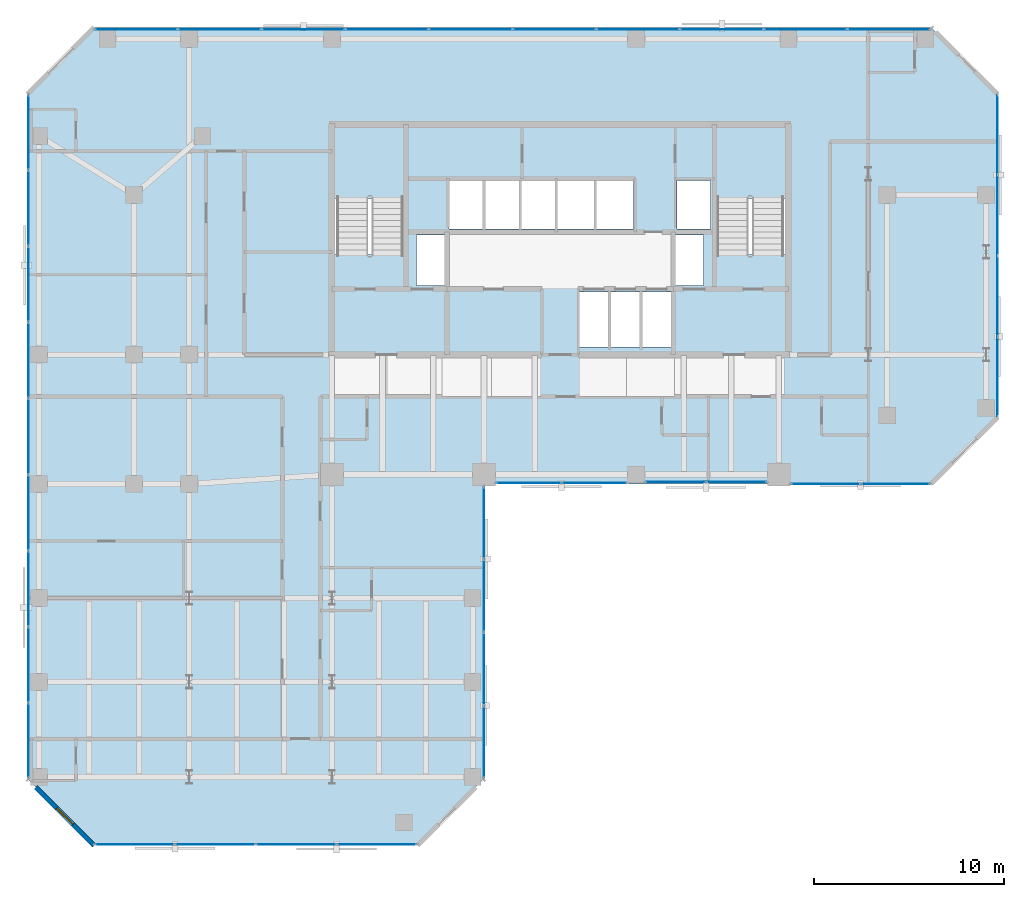
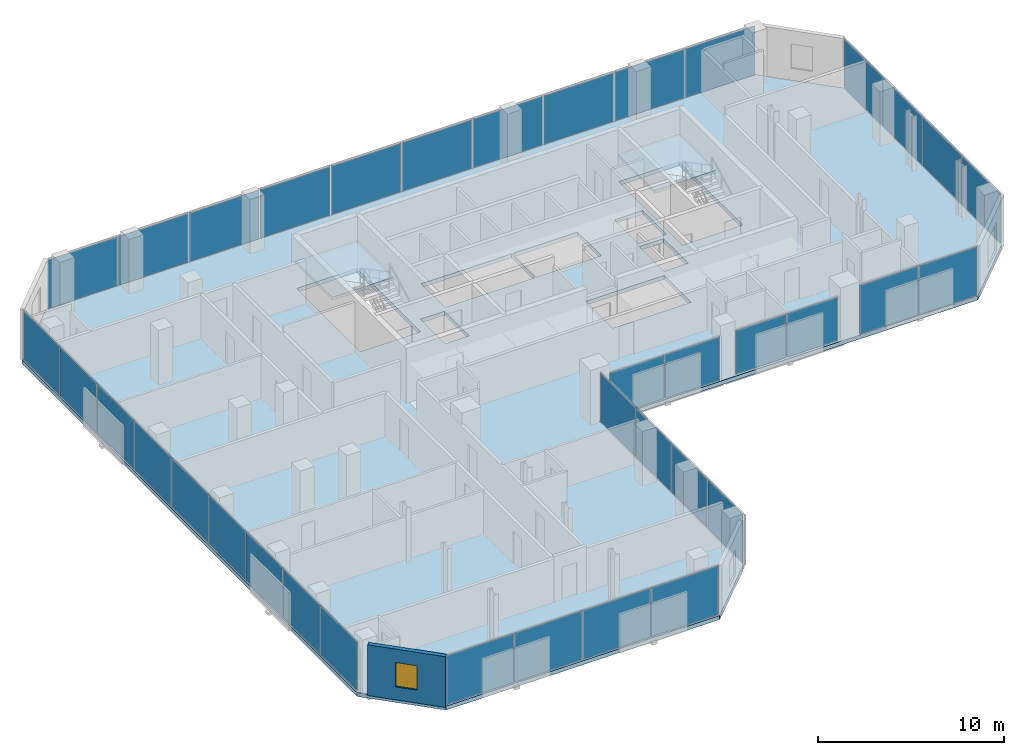
# One storey, part 27 of 33: 37 plates, 3 slabs, 1 wall, 1 window, 1 opening, 10 elements without a shape of their own.
"""IFC4 building model written with IfcOpenShell, lengths in metres."""

from ifc_helpers import new_model, si_unit, direction, frame, frame_2d, origin, origin_2d, place, context, subcontext, project, spatial, polyline, rectangle, outline, extrude, material, layer, layer_set, type_object, element, fill, aggregate, save


model = new_model("IFC4")

# Units and contexts
model_context = context("Model", 3, precision=1e-05, world=origin(), true_north=direction((0.0, 1.0)))
body_context = subcontext(model_context, "Body", "Model", "MODEL_VIEW")
ifc_project = project(units=[si_unit("LENGTHUNIT", "METRE"), si_unit("AREAUNIT", "SQUARE_METRE"), si_unit("VOLUMEUNIT", "CUBIC_METRE"), si_unit("PLANEANGLEUNIT", "RADIAN"), si_unit("MASSUNIT", "GRAM", prefix="KILO")], contexts=[model_context])

# Site, building, storey
site_placement = place(None, origin())
site = spatial("IfcSite", under=ifc_project, at=site_placement, CompositionType="ELEMENT")
building_placement = place(site_placement, origin())
building = spatial("IfcBuilding", under=site, at=building_placement, Name="Catumbela Crestline Tower", CompositionType="ELEMENT")
storey_placement = place(building_placement, frame((0.0, 0.0, 104.4)))
storey = spatial("IfcBuildingStorey", under=building, at=storey_placement, Name="L26", CompositionType="ELEMENT", Elevation=104.4)

# Curtain wall, plates
ifc_material_1 = material(Name="Aluminium alloy AW-6060-T66", Category="aluminium")
ifc_layer_1 = layer(ifc_material_1, 0.18, Name="Aluminium alloy AW-6060-T66")
ifc_layer_set_1 = layer_set([ifc_layer_1], Name="Aluminium alloy AW-6060-T66")
curtain_wall_type = type_object("IfcCurtainWallType", Name="CWU-Z2", PredefinedType="USERDEFINED", material=ifc_layer_set_1)
curtain_wall_1_placement = place(storey_placement, origin())
curtain_wall_1 = element("IfcCurtainWall", 1, at=curtain_wall_1_placement, inside=storey, type_object=curtain_wall_type, Name="L26 Unitised Curtain Wall CW-L26-E0S1", ObjectType="UNITISED", PredefinedType="USERDEFINED")
ifc_material_2 = material(Name="Low-E laminated solar-control double glazing", Category="glass")
ifc_layer_2 = layer(ifc_material_2, 0.036, Name="Low-E laminated solar-control double glazing")
ifc_layer_set_2 = layer_set([ifc_layer_2], Name="Low-E laminated solar-control double glazing")
plate_type = type_object("IfcPlateType", Name="PNL-GLZ-Z2", PredefinedType="CURTAIN_PANEL", material=ifc_layer_set_2)
plate_1_placement = place(storey_placement, frame((5.6412, 5.05, 0.06), z_axis=(0.0, 0.0, 1.0), x_axis=(1.0, 0.0, 0.0)))
plate_1 = element("IfcPlate", 2, at=plate_1_placement, type_object=plate_type, Name="CWU-Z2 panel 1.1", PredefinedType="CURTAIN_PANEL", context=body_context, shape_type="SweptSolid", body=[
    extrude(rectangle(XDim=4.1525, YDim=0.034, at=origin_2d()), origin(), (0.0, 0.0, 1.0), 3.21),
])
plate_2_placement = place(storey_placement, frame((9.875, 5.05, 0.06), z_axis=(0.0, 0.0, 1.0), x_axis=(1.0, 0.0, 0.0)))
plate_2 = element("IfcPlate", 3, at=plate_2_placement, type_object=plate_type, Name="CWU-Z2 panel 2.1", PredefinedType="CURTAIN_PANEL", context=body_context, shape_type="SweptSolid", body=[
    extrude(rectangle(XDim=4.185, YDim=0.034, at=origin_2d()), origin(), (0.0, 0.0, 1.0), 3.21),
])
plate_3_placement = place(storey_placement, frame((14.125, 5.05, 0.06), z_axis=(0.0, 0.0, 1.0), x_axis=(1.0, 0.0, 0.0)))
plate_3 = element("IfcPlate", 4, at=plate_3_placement, type_object=plate_type, Name="CWU-Z2 panel 3.1", PredefinedType="CURTAIN_PANEL", context=body_context, shape_type="SweptSolid", body=[
    extrude(rectangle(XDim=4.185, YDim=0.034, at=origin_2d()), origin(), (0.0, 0.0, 1.0), 3.21),
])
plate_4_placement = place(storey_placement, frame((18.3588, 5.05, 0.06), z_axis=(0.0, 0.0, 1.0), x_axis=(1.0, 0.0, 0.0)))
plate_4 = element("IfcPlate", 5, at=plate_4_placement, type_object=plate_type, Name="CWU-Z2 panel 4.1", PredefinedType="CURTAIN_PANEL", context=body_context, shape_type="SweptSolid", body=[
    extrude(rectangle(XDim=4.1525, YDim=0.034, at=origin_2d()), origin(), (0.0, 0.0, 1.0), 3.21),
])
aggregate(curtain_wall_1, [plate_1, plate_2, plate_3, plate_4])

curtain_wall_2_placement = place(storey_placement, origin())
curtain_wall_2 = element("IfcCurtainWall", 6, at=curtain_wall_2_placement, inside=storey, type_object=curtain_wall_type, Name="L26 Unitised Curtain Wall CW-L26-E2S1", ObjectType="UNITISED", PredefinedType="USERDEFINED")
plate_5_placement = place(storey_placement, frame((24.0, 10.4412, 0.06), z_axis=(0.0, 0.0, 1.0), x_axis=(0.0, 1.0, 0.0)))
plate_5 = element("IfcPlate", 7, at=plate_5_placement, type_object=plate_type, Name="CWU-Z2 panel 1.1", PredefinedType="CURTAIN_PANEL", context=body_context, shape_type="SweptSolid", body=[
    extrude(rectangle(XDim=3.7525, YDim=0.034, at=origin_2d()), origin(), (0.0, 0.0, 1.0), 3.21),
])
plate_6_placement = place(storey_placement, frame((24.0, 14.275, 0.06), z_axis=(0.0, 0.0, 1.0), x_axis=(0.0, 1.0, 0.0)))
plate_6 = element("IfcPlate", 8, at=plate_6_placement, type_object=plate_type, Name="CWU-Z2 panel 2.1", PredefinedType="CURTAIN_PANEL", context=body_context, shape_type="SweptSolid", body=[
    extrude(rectangle(XDim=3.785, YDim=0.034, at=origin_2d()), origin(), (0.0, 0.0, 1.0), 3.21),
])
plate_7_placement = place(storey_placement, frame((24.0, 18.125, 0.06), z_axis=(0.0, 0.0, 1.0), x_axis=(0.0, 1.0, 0.0)))
plate_7 = element("IfcPlate", 9, at=plate_7_placement, type_object=plate_type, Name="CWU-Z2 panel 3.1", PredefinedType="CURTAIN_PANEL", context=body_context, shape_type="SweptSolid", body=[
    extrude(rectangle(XDim=3.785, YDim=0.034, at=origin_2d()), origin(), (0.0, 0.0, 1.0), 3.21),
])
plate_8_placement = place(storey_placement, frame((24.0, 21.9587, 0.06), z_axis=(0.0, 0.0, 1.0), x_axis=(0.0, 1.0, 0.0)))
plate_8 = element("IfcPlate", 10, at=plate_8_placement, type_object=plate_type, Name="CWU-Z2 panel 4.1", PredefinedType="CURTAIN_PANEL", context=body_context, shape_type="SweptSolid", body=[
    extrude(rectangle(XDim=3.7525, YDim=0.034, at=origin_2d()), origin(), (0.0, 0.0, 1.0), 3.21),
])
aggregate(curtain_wall_2, [plate_5, plate_6, plate_7, plate_8])

curtain_wall_3_placement = place(storey_placement, origin())
curtain_wall_3 = element("IfcCurtainWall", 11, at=curtain_wall_3_placement, inside=storey, type_object=curtain_wall_type, Name="L26 Unitised Curtain Wall CW-L26-E3S1", ObjectType="UNITISED", PredefinedType="USERDEFINED")
plate_9_placement = place(storey_placement, frame((26.3538, 24.05, 0.06), z_axis=(0.0, 0.0, 1.0), x_axis=(1.0, 0.0, 0.0)))
plate_9 = element("IfcPlate", 12, at=plate_9_placement, type_object=plate_type, Name="CWU-Z2 panel 1.1", PredefinedType="CURTAIN_PANEL", context=body_context, shape_type="SweptSolid", body=[
    extrude(rectangle(XDim=3.3775, YDim=0.034, at=origin_2d()), origin(), (0.0, 0.0, 1.0), 2.84),
])
plate_10_placement = place(storey_placement, frame((29.7962, 24.05, 0.06), z_axis=(0.0, 0.0, 1.0), x_axis=(1.0, 0.0, 0.0)))
plate_10 = element("IfcPlate", 13, at=plate_10_placement, type_object=plate_type, Name="CWU-Z2 panel 2.1", PredefinedType="CURTAIN_PANEL", context=body_context, shape_type="SweptSolid", body=[
    extrude(rectangle(XDim=3.3775, YDim=0.034, at=origin_2d()), origin(), (0.0, 0.0, 1.0), 2.84),
])
aggregate(curtain_wall_3, [plate_9, plate_10])

curtain_wall_4_placement = place(storey_placement, origin())
curtain_wall_4 = element("IfcCurtainWall", 14, at=curtain_wall_4_placement, inside=storey, type_object=curtain_wall_type, Name="L26 Unitised Curtain Wall CW-L26-E3S2", ObjectType="UNITISED", PredefinedType="USERDEFINED")
plate_11_placement = place(storey_placement, frame((34.0788, 24.1, 0.06), z_axis=(0.0, 0.0, 1.0), x_axis=(1.0, 0.0, 0.0)))
plate_11 = element("IfcPlate", 15, at=plate_11_placement, type_object=plate_type, Name="CWU-Z2 panel 1.1", PredefinedType="CURTAIN_PANEL", context=body_context, shape_type="SweptSolid", body=[
    extrude(rectangle(XDim=3.1275, YDim=0.034, at=origin_2d()), origin(), (0.0, 0.0, 1.0), 2.84),
])
plate_12_placement = place(storey_placement, frame((37.2712, 24.1, 0.06), z_axis=(0.0, 0.0, 1.0), x_axis=(1.0, 0.0, 0.0)))
plate_12 = element("IfcPlate", 16, at=plate_12_placement, type_object=plate_type, Name="CWU-Z2 panel 2.1", PredefinedType="CURTAIN_PANEL", context=body_context, shape_type="SweptSolid", body=[
    extrude(rectangle(XDim=3.1275, YDim=0.034, at=origin_2d()), origin(), (0.0, 0.0, 1.0), 2.84),
])
aggregate(curtain_wall_4, [plate_11, plate_12])

curtain_wall_5_placement = place(storey_placement, origin())
curtain_wall_5 = element("IfcCurtainWall", 17, at=curtain_wall_5_placement, inside=storey, type_object=curtain_wall_type, Name="L26 Unitised Curtain Wall CW-L26-E3S3", ObjectType="UNITISED", PredefinedType="USERDEFINED")
plate_13_placement = place(storey_placement, frame((41.9662, 24.0, 0.06), z_axis=(0.0, 0.0, 1.0), x_axis=(1.0, 0.0, 0.0)))
plate_13 = element("IfcPlate", 18, at=plate_13_placement, type_object=plate_type, Name="CWU-Z2 panel 1.1", PredefinedType="CURTAIN_PANEL", context=body_context, shape_type="SweptSolid", body=[
    extrude(rectangle(XDim=3.6025, YDim=0.034, at=origin_2d()), origin(), (0.0, 0.0, 1.0), 3.21),
])
plate_14_placement = place(storey_placement, frame((45.6338, 24.0, 0.06), z_axis=(0.0, 0.0, 1.0), x_axis=(1.0, 0.0, 0.0)))
plate_14 = element("IfcPlate", 19, at=plate_14_placement, type_object=plate_type, Name="CWU-Z2 panel 2.1", PredefinedType="CURTAIN_PANEL", context=body_context, shape_type="SweptSolid", body=[
    extrude(rectangle(XDim=3.6025, YDim=0.034, at=origin_2d()), origin(), (0.0, 0.0, 1.0), 3.21),
])
aggregate(curtain_wall_5, [plate_13, plate_14])

curtain_wall_6_placement = place(storey_placement, origin())
curtain_wall_6 = element("IfcCurtainWall", 20, at=curtain_wall_6_placement, inside=storey, type_object=curtain_wall_type, Name="L26 Unitised Curtain Wall CW-L26-E5S1", ObjectType="UNITISED", PredefinedType="USERDEFINED")
plate_15_placement = place(storey_placement, frame((51.0, 29.6412, 0.06), z_axis=(0.0, 0.0, 1.0), x_axis=(0.0, 1.0, 0.0)))
plate_15 = element("IfcPlate", 21, at=plate_15_placement, type_object=plate_type, Name="CWU-Z2 panel 1.1", PredefinedType="CURTAIN_PANEL", context=body_context, shape_type="SweptSolid", body=[
    extrude(rectangle(XDim=4.1525, YDim=0.034, at=origin_2d()), origin(), (0.0, 0.0, 1.0), 3.21),
])
plate_16_placement = place(storey_placement, frame((51.0, 33.875, 0.06), z_axis=(0.0, 0.0, 1.0), x_axis=(0.0, 1.0, 0.0)))
plate_16 = element("IfcPlate", 22, at=plate_16_placement, type_object=plate_type, Name="CWU-Z2 panel 2.1", PredefinedType="CURTAIN_PANEL", context=body_context, shape_type="SweptSolid", body=[
    extrude(rectangle(XDim=4.185, YDim=0.034, at=origin_2d()), origin(), (0.0, 0.0, 1.0), 3.21),
])
plate_17_placement = place(storey_placement, frame((51.0, 38.125, 0.06), z_axis=(0.0, 0.0, 1.0), x_axis=(0.0, 1.0, 0.0)))
plate_17 = element("IfcPlate", 23, at=plate_17_placement, type_object=plate_type, Name="CWU-Z2 panel 3.1", PredefinedType="CURTAIN_PANEL", context=body_context, shape_type="SweptSolid", body=[
    extrude(rectangle(XDim=4.185, YDim=0.034, at=origin_2d()), origin(), (0.0, 0.0, 1.0), 3.21),
])
plate_18_placement = place(storey_placement, frame((51.0, 42.3588, 0.06), z_axis=(0.0, 0.0, 1.0), x_axis=(0.0, 1.0, 0.0)))
plate_18 = element("IfcPlate", 24, at=plate_18_placement, type_object=plate_type, Name="CWU-Z2 panel 4.1", PredefinedType="CURTAIN_PANEL", context=body_context, shape_type="SweptSolid", body=[
    extrude(rectangle(XDim=4.1525, YDim=0.034, at=origin_2d()), origin(), (0.0, 0.0, 1.0), 3.21),
])
aggregate(curtain_wall_6, [plate_15, plate_16, plate_17, plate_18])

curtain_wall_7_placement = place(storey_placement, origin())
curtain_wall_7 = element("IfcCurtainWall", 25, at=curtain_wall_7_placement, inside=storey, type_object=curtain_wall_type, Name="L26 Unitised Curtain Wall CW-L26-E7S1", ObjectType="UNITISED", PredefinedType="USERDEFINED")
plate_19_placement = place(storey_placement, frame((45.2838, 47.9, 0.06), z_axis=(0.0, 0.0, 1.0), x_axis=(-1.0, 0.0, 0.0)))
plate_19 = element("IfcPlate", 26, at=plate_19_placement, type_object=plate_type, Name="CWU-Z2 panel 1.1", PredefinedType="CURTAIN_PANEL", context=body_context, shape_type="SweptSolid", body=[
    extrude(rectangle(XDim=4.3025, YDim=0.034, at=origin_2d()), origin(), (0.0, 0.0, 1.0), 3.21),
])
plate_20_placement = place(storey_placement, frame((40.9, 47.9, 0.06), z_axis=(0.0, 0.0, 1.0), x_axis=(-1.0, 0.0, 0.0)))
plate_20 = element("IfcPlate", 27, at=plate_20_placement, type_object=plate_type, Name="CWU-Z2 panel 2.1", PredefinedType="CURTAIN_PANEL", context=body_context, shape_type="SweptSolid", body=[
    extrude(rectangle(XDim=4.335, YDim=0.034, at=origin_2d()), origin(), (0.0, 0.0, 1.0), 3.21),
])
plate_21_placement = place(storey_placement, frame((36.5, 47.9, 0.06), z_axis=(0.0, 0.0, 1.0), x_axis=(-1.0, 0.0, 0.0)))
plate_21 = element("IfcPlate", 28, at=plate_21_placement, type_object=plate_type, Name="CWU-Z2 panel 3.1", PredefinedType="CURTAIN_PANEL", context=body_context, shape_type="SweptSolid", body=[
    extrude(rectangle(XDim=4.335, YDim=0.034, at=origin_2d()), origin(), (0.0, 0.0, 1.0), 3.21),
])
plate_22_placement = place(storey_placement, frame((32.1, 47.9, 0.06), z_axis=(0.0, 0.0, 1.0), x_axis=(-1.0, 0.0, 0.0)))
plate_22 = element("IfcPlate", 29, at=plate_22_placement, type_object=plate_type, Name="CWU-Z2 panel 4.1", PredefinedType="CURTAIN_PANEL", context=body_context, shape_type="SweptSolid", body=[
    extrude(rectangle(XDim=4.335, YDim=0.034, at=origin_2d()), origin(), (0.0, 0.0, 1.0), 3.21),
])
plate_23_placement = place(storey_placement, frame((27.7, 47.9, 0.06), z_axis=(0.0, 0.0, 1.0), x_axis=(-1.0, 0.0, 0.0)))
plate_23 = element("IfcPlate", 30, at=plate_23_placement, type_object=plate_type, Name="CWU-Z2 panel 5.1", PredefinedType="CURTAIN_PANEL", context=body_context, shape_type="SweptSolid", body=[
    extrude(rectangle(XDim=4.335, YDim=0.034, at=origin_2d()), origin(), (0.0, 0.0, 1.0), 3.21),
])
plate_24_placement = place(storey_placement, frame((23.3, 47.9, 0.06), z_axis=(0.0, 0.0, 1.0), x_axis=(-1.0, 0.0, 0.0)))
plate_24 = element("IfcPlate", 31, at=plate_24_placement, type_object=plate_type, Name="CWU-Z2 panel 6.1", PredefinedType="CURTAIN_PANEL", context=body_context, shape_type="SweptSolid", body=[
    extrude(rectangle(XDim=4.335, YDim=0.034, at=origin_2d()), origin(), (0.0, 0.0, 1.0), 3.21),
])
plate_25_placement = place(storey_placement, frame((18.9, 47.9, 0.06), z_axis=(0.0, 0.0, 1.0), x_axis=(-1.0, 0.0, 0.0)))
plate_25 = element("IfcPlate", 32, at=plate_25_placement, type_object=plate_type, Name="CWU-Z2 panel 7.1", PredefinedType="CURTAIN_PANEL", context=body_context, shape_type="SweptSolid", body=[
    extrude(rectangle(XDim=4.335, YDim=0.034, at=origin_2d()), origin(), (0.0, 0.0, 1.0), 3.21),
])
plate_26_placement = place(storey_placement, frame((14.5, 47.9, 0.06), z_axis=(0.0, 0.0, 1.0), x_axis=(-1.0, 0.0, 0.0)))
plate_26 = element("IfcPlate", 33, at=plate_26_placement, type_object=plate_type, Name="CWU-Z2 panel 8.1", PredefinedType="CURTAIN_PANEL", context=body_context, shape_type="SweptSolid", body=[
    extrude(rectangle(XDim=4.335, YDim=0.034, at=origin_2d()), origin(), (0.0, 0.0, 1.0), 3.21),
])
plate_27_placement = place(storey_placement, frame((10.1, 47.9, 0.06), z_axis=(0.0, 0.0, 1.0), x_axis=(-1.0, 0.0, 0.0)))
plate_27 = element("IfcPlate", 34, at=plate_27_placement, type_object=plate_type, Name="CWU-Z2 panel 9.1", PredefinedType="CURTAIN_PANEL", context=body_context, shape_type="SweptSolid", body=[
    extrude(rectangle(XDim=4.335, YDim=0.034, at=origin_2d()), origin(), (0.0, 0.0, 1.0), 3.21),
])
plate_28_placement = place(storey_placement, frame((5.7162, 47.9, 0.06), z_axis=(0.0, 0.0, 1.0), x_axis=(-1.0, 0.0, 0.0)))
plate_28 = element("IfcPlate", 35, at=plate_28_placement, type_object=plate_type, Name="CWU-Z2 panel 10.1", PredefinedType="CURTAIN_PANEL", context=body_context, shape_type="SweptSolid", body=[
    extrude(rectangle(XDim=4.3025, YDim=0.034, at=origin_2d()), origin(), (0.0, 0.0, 1.0), 3.21),
])
aggregate(curtain_wall_7, [plate_19, plate_20, plate_21, plate_22, plate_23, plate_24, plate_25, plate_26, plate_27, plate_28])

curtain_wall_8_placement = place(storey_placement, origin())
curtain_wall_8 = element("IfcCurtainWall", 36, at=curtain_wall_8_placement, inside=storey, type_object=curtain_wall_type, Name="L26 Unitised Curtain Wall CW-L26-E9S1", ObjectType="UNITISED", PredefinedType="USERDEFINED")
plate_29_placement = place(storey_placement, frame((0.05, 42.4838, 0.06), z_axis=(0.0, 0.0, 1.0), x_axis=(0.0, -1.0, 0.0)))
plate_29 = element("IfcPlate", 37, at=plate_29_placement, type_object=plate_type, Name="CWU-Z2 panel 1.1", PredefinedType="CURTAIN_PANEL", context=body_context, shape_type="SweptSolid", body=[
    extrude(rectangle(XDim=3.9025, YDim=0.034, at=origin_2d()), origin(), (0.0, 0.0, 1.0), 3.21),
])
plate_30_placement = place(storey_placement, frame((0.05, 38.5, 0.06), z_axis=(0.0, 0.0, 1.0), x_axis=(0.0, -1.0, 0.0)))
plate_30 = element("IfcPlate", 38, at=plate_30_placement, type_object=plate_type, Name="CWU-Z2 panel 2.1", PredefinedType="CURTAIN_PANEL", context=body_context, shape_type="SweptSolid", body=[
    extrude(rectangle(XDim=3.935, YDim=0.034, at=origin_2d()), origin(), (0.0, 0.0, 1.0), 3.21),
])
plate_31_placement = place(storey_placement, frame((0.05, 34.5, 0.06), z_axis=(0.0, 0.0, 1.0), x_axis=(0.0, -1.0, 0.0)))
plate_31 = element("IfcPlate", 39, at=plate_31_placement, type_object=plate_type, Name="CWU-Z2 panel 3.1", PredefinedType="CURTAIN_PANEL", context=body_context, shape_type="SweptSolid", body=[
    extrude(rectangle(XDim=3.935, YDim=0.034, at=origin_2d()), origin(), (0.0, 0.0, 1.0), 3.21),
])
plate_32_placement = place(storey_placement, frame((0.05, 30.5, 0.06), z_axis=(0.0, 0.0, 1.0), x_axis=(0.0, -1.0, 0.0)))
plate_32 = element("IfcPlate", 40, at=plate_32_placement, type_object=plate_type, Name="CWU-Z2 panel 4.1", PredefinedType="CURTAIN_PANEL", context=body_context, shape_type="SweptSolid", body=[
    extrude(rectangle(XDim=3.935, YDim=0.034, at=origin_2d()), origin(), (0.0, 0.0, 1.0), 3.21),
])
plate_33_placement = place(storey_placement, frame((0.05, 26.5, 0.06), z_axis=(0.0, 0.0, 1.0), x_axis=(0.0, -1.0, 0.0)))
plate_33 = element("IfcPlate", 41, at=plate_33_placement, type_object=plate_type, Name="CWU-Z2 panel 5.1", PredefinedType="CURTAIN_PANEL", context=body_context, shape_type="SweptSolid", body=[
    extrude(rectangle(XDim=3.935, YDim=0.034, at=origin_2d()), origin(), (0.0, 0.0, 1.0), 3.21),
])
plate_34_placement = place(storey_placement, frame((0.05, 22.5, 0.06), z_axis=(0.0, 0.0, 1.0), x_axis=(0.0, -1.0, 0.0)))
plate_34 = element("IfcPlate", 42, at=plate_34_placement, type_object=plate_type, Name="CWU-Z2 panel 6.1", PredefinedType="CURTAIN_PANEL", context=body_context, shape_type="SweptSolid", body=[
    extrude(rectangle(XDim=3.935, YDim=0.034, at=origin_2d()), origin(), (0.0, 0.0, 1.0), 3.21),
])
plate_35_placement = place(storey_placement, frame((0.05, 18.5, 0.06), z_axis=(0.0, 0.0, 1.0), x_axis=(0.0, -1.0, 0.0)))
plate_35 = element("IfcPlate", 43, at=plate_35_placement, type_object=plate_type, Name="CWU-Z2 panel 7.1", PredefinedType="CURTAIN_PANEL", context=body_context, shape_type="SweptSolid", body=[
    extrude(rectangle(XDim=3.935, YDim=0.034, at=origin_2d()), origin(), (0.0, 0.0, 1.0), 3.21),
])
plate_36_placement = place(storey_placement, frame((0.05, 14.5, 0.06), z_axis=(0.0, 0.0, 1.0), x_axis=(0.0, -1.0, 0.0)))
plate_36 = element("IfcPlate", 44, at=plate_36_placement, type_object=plate_type, Name="CWU-Z2 panel 8.1", PredefinedType="CURTAIN_PANEL", context=body_context, shape_type="SweptSolid", body=[
    extrude(rectangle(XDim=3.935, YDim=0.034, at=origin_2d()), origin(), (0.0, 0.0, 1.0), 3.21),
])
plate_37_placement = place(storey_placement, frame((0.05, 10.5162, 0.06), z_axis=(0.0, 0.0, 1.0), x_axis=(0.0, -1.0, 0.0)))
plate_37 = element("IfcPlate", 45, at=plate_37_placement, type_object=plate_type, Name="CWU-Z2 panel 9.1", PredefinedType="CURTAIN_PANEL", context=body_context, shape_type="SweptSolid", body=[
    extrude(rectangle(XDim=3.9025, YDim=0.034, at=origin_2d()), origin(), (0.0, 0.0, 1.0), 3.21),
])
aggregate(curtain_wall_8, [plate_29, plate_30, plate_31, plate_32, plate_33, plate_34, plate_35, plate_36, plate_37])

# Stair, slab
ifc_material_3 = material(Name="Concrete C45/55", Category="concrete")
stair_type = type_object("IfcStairType", Name="ST-DLG", PredefinedType="HALF_TURN_STAIR", material=ifc_material_3)
stair_1_placement = place(storey_placement, origin())
stair_1 = element("IfcStair", 46, at=stair_1_placement, inside=storey, type_object=stair_type, Name="L26 West Core Pressurised Exit Stair ST-01", PredefinedType="HALF_TURN_STAIR")
ifc_layer_3 = layer(ifc_material_3, 0.2, Name="Concrete C45/55")
ifc_layer_set_3 = layer_set([ifc_layer_3], Name="Concrete C45/55")
slab_type_1 = type_object("IfcSlabType", Name="SL-LND", PredefinedType="LANDING", material=ifc_layer_set_3)
slab_1_placement = place(storey_placement, frame((0.0, 0.0, 1.6)))
slab_1 = element("IfcSlab", 47, at=slab_1_placement, type_object=slab_type_1, Name="ST-01 landing 1", PredefinedType="LANDING", context=body_context, shape_type="SweptSolid", body=[
    extrude(outline(polyline([(19.91, 39.02), (19.91, 42.96), (16.09, 42.96), (16.09, 39.02), (19.91, 39.02)])), origin(), (0.0, 0.0, 1.0), 0.2),
])
aggregate(stair_1, [slab_1])

stair_2_placement = place(storey_placement, origin())
stair_2 = element("IfcStair", 48, at=stair_2_placement, inside=storey, type_object=stair_type, Name="L26 East Core Pressurised Exit Stair ST-02", PredefinedType="HALF_TURN_STAIR")
slab_2_placement = place(storey_placement, frame((0.0, 0.0, 1.6)))
slab_2 = element("IfcSlab", 49, at=slab_2_placement, type_object=slab_type_1, Name="ST-02 landing 1", PredefinedType="LANDING", context=body_context, shape_type="SweptSolid", body=[
    extrude(outline(polyline([(39.91, 39.02), (39.91, 42.96), (36.09, 42.96), (36.09, 39.02), (39.91, 39.02)])), origin(), (0.0, 0.0, 1.0), 0.2),
])
aggregate(stair_2, [slab_2])

# Slab
ifc_layer_4 = layer(ifc_material_3, 0.26, Name="Concrete C45/55")
ifc_layer_set_4 = layer_set([ifc_layer_4], Name="Concrete C45/55")
slab_type_2 = type_object("IfcSlabType", Name="SL-260", PredefinedType="FLOOR", material=ifc_layer_set_4)
slab_3_placement = place(storey_placement, frame((0.0, 0.0, -0.26)))
element("IfcSlab", 50, at=slab_3_placement, inside=storey, type_object=slab_type_2, Name="L26 Structural Floor Slab", PredefinedType="FLOOR", context=body_context, shape_type="SweptSolid", body=[
    extrude(outline(polyline([(3.5, 5.0), (20.5, 5.0), (24.0, 8.5), (24.0, 24.0), (47.5, 24.0), (51.0, 27.5), (51.0, 44.5), (47.5, 48.0), (3.5, 48.0), (0.0, 44.5), (0.0, 8.5), (3.5, 5.0)]), holes=[polyline([(16.13, 36.08), (19.87, 36.08), (19.87, 42.92), (16.13, 42.92), (16.13, 36.08)]), polyline([(36.13, 36.08), (39.87, 36.08), (39.87, 42.92), (36.13, 42.92), (36.13, 36.08)]), polyline([(29.0, 31.2), (33.85, 31.2), (33.85, 34.1), (29.0, 34.1), (29.0, 31.2)]), polyline([(22.15, 37.4), (27.75, 37.4), (27.75, 39.95), (22.15, 39.95), (22.15, 37.4)]), polyline([(27.85, 37.4), (31.85, 37.4), (31.85, 39.95), (27.85, 39.95), (27.85, 37.4)]), polyline([(20.45, 34.45), (21.95, 34.45), (21.95, 37.1), (20.45, 37.1), (20.45, 34.45)]), polyline([(34.05, 34.45), (35.55, 34.45), (35.55, 37.1), (34.05, 37.1), (34.05, 34.45)]), polyline([(34.15, 37.4), (35.9, 37.4), (35.9, 39.95), (34.15, 39.95), (34.15, 37.4)])]), origin(), (0.0, 0.0, 1.0), 0.26),
])

# Wall, opening, window
ifc_material_4 = material(Name="Angolan grey-ochre granite", Category="masonry")
ifc_layer_5 = layer(ifc_material_4, 0.25, Name="Angolan grey-ochre granite")
ifc_layer_set_5 = layer_set([ifc_layer_5], Name="Angolan grey-ochre granite")
wall_type = type_object("IfcWallType", Name="WE-250", PredefinedType="STANDARD", material=ifc_layer_set_5)
wall_placement = place(storey_placement, frame((0.4384, 8.0616, 0.0), z_axis=(0.0, 0.0, 1.0), x_axis=(0.707106781187, -0.707106781187, 0.0)))
wall = element("IfcWall", 51, at=wall_placement, inside=storey, type_object=wall_type, Name="L26 Granite Punched Window Wall 10-2", PredefinedType="STANDARD", context=body_context, shape_type="SweptSolid", body=[
    extrude(rectangle(XDim=4.3298, YDim=0.25, at=frame_2d((2.1649, 0.0))), origin(), (0.0, 0.0, 1.0), 3.33),
])
opening_placement = place(wall_placement, frame((1.5648, 0.0, 0.85)))
opening = element("IfcOpeningElement", 52, at=opening_placement, cuts=wall, Name="Opening WN-02", PredefinedType="OPENING", context=body_context, shape_type="SweptSolid", body=[
    extrude(rectangle(XDim=1.2, YDim=1.6, at=frame_2d((0.6, 0.8))), frame((0.0, 0.135, 0.0), z_axis=(0.0, -1.0, 0.0), x_axis=(1.0, 0.0, 0.0)), (0.0, 0.0, 1.0), 0.27),
])
window_type = type_object("IfcWindowType", Name="WO-1200", PartitioningType="SINGLE_PANEL", PredefinedType="WINDOW", material=ifc_material_2)
window_placement = place(opening_placement, origin())
window = element("IfcWindow", 53, at=window_placement, inside=storey, type_object=window_type, Name="L26 Facade Vision Window 154", OverallHeight=1.6, OverallWidth=1.2, PartitioningType="SINGLE_PANEL", PredefinedType="WINDOW", context=body_context, shape_type="SweptSolid", body=[
    extrude(rectangle(XDim=1.2, YDim=1.6, at=frame_2d((0.6, 0.8))), frame((0.0, 0.03, 0.0), z_axis=(0.0, -1.0, 0.0), x_axis=(1.0, 0.0, 0.0)), (0.0, 0.0, 1.0), 0.06),
])
fill(opening, window)

save(model, "model.ifc")
